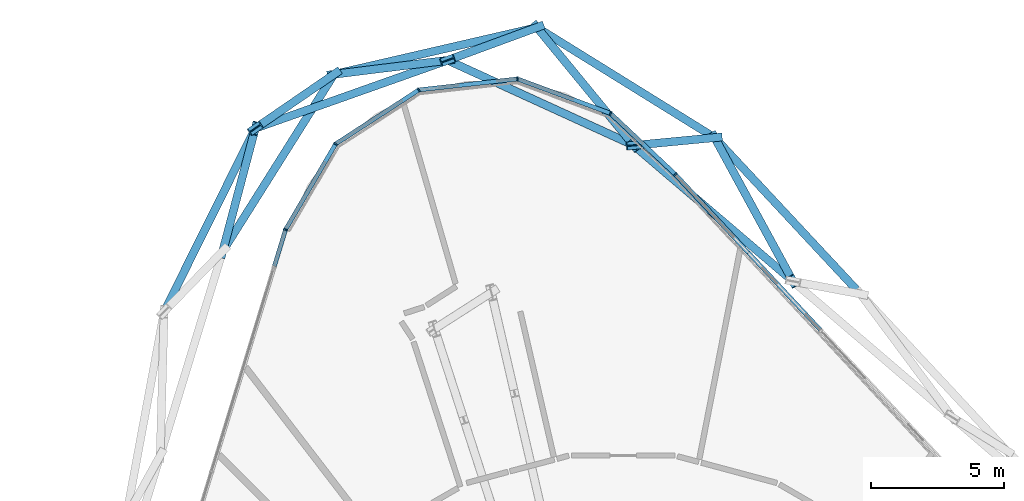
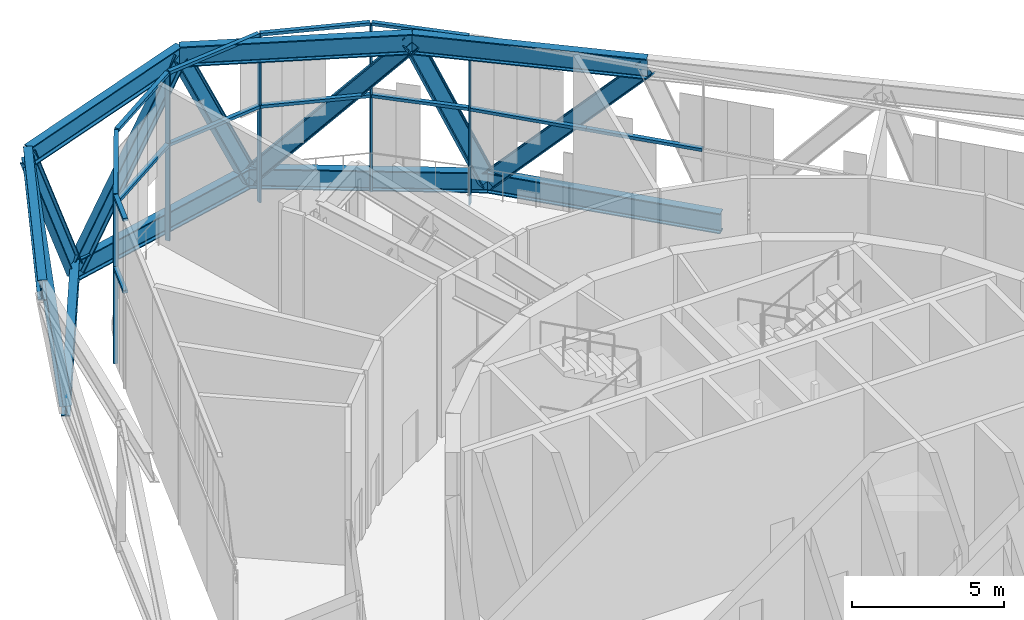
# One storey, part 8 of 25: 35 members, 2 elements without a shape of their own.
"""IFC4 building model written with IfcOpenShell, lengths in metres."""

from ifc_helpers import new_model, si_unit, direction, frame, origin, origin_2d, place, context, subcontext, project, spatial, rectangle, i_section, extrude, material, layer, layer_set, material_profile, profile_set, type_object, element, aggregate, save


model = new_model("IFC4")

# Units and contexts
model_context = context("Model", 3, precision=1e-05, world=origin(), true_north=direction((0.0, 1.0)))
body_context = subcontext(model_context, "Body", "Model", "MODEL_VIEW")
ifc_project = project(units=[si_unit("LENGTHUNIT", "METRE"), si_unit("AREAUNIT", "SQUARE_METRE"), si_unit("VOLUMEUNIT", "CUBIC_METRE"), si_unit("PLANEANGLEUNIT", "RADIAN"), si_unit("MASSUNIT", "GRAM", prefix="KILO")], contexts=[model_context])

# Site, building, storey
site_placement = place(None, origin())
site = spatial("IfcSite", under=ifc_project, at=site_placement, CompositionType="ELEMENT")
building_placement = place(site_placement, origin())
building = spatial("IfcBuilding", under=site, at=building_placement, Name="Spindle Arch Residences", CompositionType="ELEMENT")
storey_placement = place(building_placement, frame((0.0, 0.0, 144.89990234375)))
storey = spatial("IfcBuildingStorey", under=building, at=storey_placement, Name="L36", CompositionType="ELEMENT", Elevation=144.89990234375)

# Members
ifc_material_1 = material(Name="Steel S460ML, intumescent coating R 240", Category="steel")
ifc_material_profile_1 = material_profile(ifc_material_1, i_section(OverallWidth=0.302978515625, OverallDepth=0.81396484375, WebThickness=0.02099609375, FlangeThickness=0.0400390625, FilletRadius=0.030029296875, at=origin_2d()), Name="HEM 800")
ifc_profile_set_1 = profile_set([ifc_material_profile_1], Name="Steel S460ML, intumescent coating R 240")
member_type_1 = type_object("IfcMemberType", Name="Belt truss chord HEM 800", PredefinedType="CHORD", material=ifc_profile_set_1)
member_1_placement = place(storey_placement, frame((8.963134765625, 21.16650390625, -0.85693359375), z_axis=(-0.681985586962, 0.731365612519, 0.0), x_axis=(-0.731365612519, -0.681985586962, 0.0)))
element("IfcMember", 1, at=member_1_placement, inside=storey, type_object=member_type_1, Name="Belt truss bottom chord L36.9", PredefinedType="CHORD", context=body_context, shape_type="SweptSolid", body=[
    extrude(i_section(OverallWidth=0.302978515625, OverallDepth=0.81396484375, WebThickness=0.02099609375, FlangeThickness=0.0400390625, FilletRadius=0.030029296875, at=origin_2d()), origin(), (0.0, 0.0, 1.0), 8.029296875),
])
member_2_placement = place(storey_placement, frame((3.4873046875, 27.038818359375, -0.85693359375), z_axis=(-0.8498361212, 0.527047025515, 0.0), x_axis=(-0.527047025515, -0.8498361212, 0.0)))
element("IfcMember", 2, at=member_2_placement, inside=storey, type_object=member_type_1, Name="Belt truss bottom chord L36.10", PredefinedType="CHORD", context=body_context, shape_type="SweptSolid", body=[
    extrude(i_section(OverallWidth=0.302978515625, OverallDepth=0.81396484375, WebThickness=0.02099609375, FlangeThickness=0.0400390625, FilletRadius=0.030029296875, at=origin_2d()), origin(), (0.0, 0.0, 1.0), 7.8515625),
])
member_3_placement = place(storey_placement, frame((-3.185302734375, 31.177001953125, -0.85693359375), z_axis=(-0.974368036587, -0.224959839254, 0.0), x_axis=(0.224959839254, -0.974368036587, 0.0)))
element("IfcMember", 3, at=member_3_placement, inside=storey, type_object=member_type_1, Name="Belt truss bottom chord L36.11", PredefinedType="CHORD", context=body_context, shape_type="SweptSolid", body=[
    extrude(i_section(OverallWidth=0.302978515625, OverallDepth=0.81396484375, WebThickness=0.02099609375, FlangeThickness=0.0400390625, FilletRadius=0.030029296875, at=origin_2d()), origin(), (0.0, 0.0, 1.0), 7.8193359375),
])
member_4_placement = place(storey_placement, frame((-10.80419921875, 29.41796875, -0.85693359375), z_axis=(-0.532768735152, -0.846260878715, 0.0), x_axis=(0.846260878715, -0.532768735152, 0.0)))
element("IfcMember", 4, at=member_4_placement, inside=storey, type_object=member_type_1, Name="Belt truss bottom chord L36.12", PredefinedType="CHORD", context=body_context, shape_type="SweptSolid", body=[
    extrude(i_section(OverallWidth=0.302978515625, OverallDepth=0.81396484375, WebThickness=0.02099609375, FlangeThickness=0.0400390625, FilletRadius=0.030029296875, at=origin_2d()), origin(), (0.0, 0.0, 1.0), 7.8515625),
])
member_5_placement = place(storey_placement, frame((6.427001953125, 21.64501953125, 5.943115234375), z_axis=(-0.760417458811, 0.649434591268, 0.0), x_axis=(-0.649434591268, -0.760417458811, 0.0)))
element("IfcMember", 5, at=member_5_placement, inside=storey, type_object=member_type_1, Name="Belt truss top chord L36.9", PredefinedType="CHORD", context=body_context, shape_type="SweptSolid", body=[
    extrude(i_section(OverallWidth=0.302978515625, OverallDepth=0.81396484375, WebThickness=0.02099609375, FlangeThickness=0.0400390625, FilletRadius=0.030029296875, at=origin_2d()), origin(), (0.0, 0.0, 1.0), 7.85986328125),
])
member_6_placement = place(storey_placement, frame((0.4501953125, 26.74951171875, 5.943115234375), z_axis=(-0.909438438692, 0.415838581939, 0.0), x_axis=(-0.415838581939, -0.909438438692, 0.0)))
element("IfcMember", 6, at=member_6_placement, inside=storey, type_object=member_type_1, Name="Belt truss top chord L36.10", PredefinedType="CHORD", context=body_context, shape_type="SweptSolid", body=[
    extrude(i_section(OverallWidth=0.302978515625, OverallDepth=0.81396484375, WebThickness=0.02099609375, FlangeThickness=0.0400390625, FilletRadius=0.030029296875, at=origin_2d()), origin(), (0.0, 0.0, 1.0), 7.685791015625),
])
member_7_placement = place(storey_placement, frame((-6.53955078125, 29.945556640625, 5.943115234375), z_axis=(-0.942638085895, -0.333816475058, 0.0), x_axis=(0.333816475058, -0.942638085895, 0.0)))
element("IfcMember", 7, at=member_7_placement, inside=storey, type_object=member_type_1, Name="Belt truss top chord L36.11", PredefinedType="CHORD", context=body_context, shape_type="SweptSolid", body=[
    extrude(i_section(OverallWidth=0.302978515625, OverallDepth=0.81396484375, WebThickness=0.02099609375, FlangeThickness=0.0400390625, FilletRadius=0.030029296875, at=origin_2d()), origin(), (0.0, 0.0, 1.0), 7.663330078125),
])
member_8_placement = place(storey_placement, frame((-13.76318359375, 27.387451171875, 5.943115234375), z_axis=(-0.445077626453, -0.895491991271, 0.0), x_axis=(0.895491991271, -0.445077626453, 0.0)))
element("IfcMember", 8, at=member_8_placement, inside=storey, type_object=member_type_1, Name="Belt truss top chord L36.12", PredefinedType="CHORD", context=body_context, shape_type="SweptSolid", body=[
    extrude(i_section(OverallWidth=0.302978515625, OverallDepth=0.81396484375, WebThickness=0.02099609375, FlangeThickness=0.0400390625, FilletRadius=0.030029296875, at=origin_2d()), origin(), (0.0, 0.0, 1.0), 7.685546875),
])
ifc_material_2 = material(Name="Steel S460ML, intumescent coating R 240", Category="steel")
ifc_material_profile_2 = material_profile(ifc_material_2, i_section(OverallWidth=0.304931640625, OverallDepth=0.6201171875, WebThickness=0.02099609375, FlangeThickness=0.0400390625, FilletRadius=0.027099609375, at=origin_2d()), Name="HEM 600")
ifc_profile_set_2 = profile_set([ifc_material_profile_2], Name="Steel S460ML, intumescent coating R 240")
member_type_2 = type_object("IfcMemberType", Name="Belt truss diagonal HEM 600", PredefinedType="BRACE", material=ifc_profile_set_2)
member_9_placement = place(storey_placement, frame((3.4873046875, 27.038818359375, -0.85693359375), z_axis=(0.32079395823, -0.58859736892, 0.742054158174), x_axis=(0.878058041266, 0.478554151762, 0.0)))
element("IfcMember", 9, at=member_9_placement, inside=storey, type_object=member_type_2, Name="Belt truss diagonal L36.9.10", PredefinedType="BRACE", context=body_context, shape_type="SweptSolid", body=[
    extrude(i_section(OverallWidth=0.304931640625, OverallDepth=0.6201171875, WebThickness=0.02099609375, FlangeThickness=0.0400390625, FilletRadius=0.027099609375, at=origin_2d()), origin(), (0.0, 0.0, 1.0), 9.163818359375),
])
member_10_placement = place(storey_placement, frame((3.4873046875, 27.038818359375, -0.85693359375), z_axis=(-0.407497240301, -0.03881706027, 0.912381079911), x_axis=(0.094827974586, -0.995493674132, 0.0)))
element("IfcMember", 10, at=member_10_placement, inside=storey, type_object=member_type_2, Name="Belt truss diagonal L36.10.10", PredefinedType="BRACE", context=body_context, shape_type="SweptSolid", body=[
    extrude(i_section(OverallWidth=0.304931640625, OverallDepth=0.6201171875, WebThickness=0.02099609375, FlangeThickness=0.0400390625, FilletRadius=0.027099609375, at=origin_2d()), origin(), (0.0, 0.0, 1.0), 7.453125),
])
member_11_placement = place(storey_placement, frame((-3.185302734375, 31.177001953125, -0.85693359375), z_axis=(0.408869783764, -0.497941946717, 0.764774030433), x_axis=(0.772843443813, 0.634596731283, 0.0)))
element("IfcMember", 11, at=member_11_placement, inside=storey, type_object=member_type_2, Name="Belt truss diagonal L36.10.11", PredefinedType="BRACE", context=body_context, shape_type="SweptSolid", body=[
    extrude(i_section(OverallWidth=0.304931640625, OverallDepth=0.6201171875, WebThickness=0.02099609375, FlangeThickness=0.0400390625, FilletRadius=0.027099609375, at=origin_2d()), origin(), (0.0, 0.0, 1.0), 8.8916015625),
])
member_12_placement = place(storey_placement, frame((-3.185302734375, 31.177001953125, -0.85693359375), z_axis=(-0.436655921717, -0.160309518097, 0.885230175964), x_axis=(0.344638077792, -0.938735636554, 0.0)))
element("IfcMember", 12, at=member_12_placement, inside=storey, type_object=member_type_2, Name="Belt truss diagonal L36.11.11", PredefinedType="BRACE", context=body_context, shape_type="SweptSolid", body=[
    extrude(i_section(OverallWidth=0.304931640625, OverallDepth=0.6201171875, WebThickness=0.02099609375, FlangeThickness=0.0400390625, FilletRadius=0.027099609375, at=origin_2d()), origin(), (0.0, 0.0, 1.0), 7.681640625),
])
member_13_placement = place(storey_placement, frame((-10.80419921875, 29.41796875, -0.85693359375), z_axis=(0.530163903674, 0.065587599945, 0.845354660467), x_axis=(-0.12277597673, 0.992434410698, 0.0)))
element("IfcMember", 13, at=member_13_placement, inside=storey, type_object=member_type_2, Name="Belt truss diagonal L36.11.12", PredefinedType="BRACE", context=body_context, shape_type="SweptSolid", body=[
    extrude(i_section(OverallWidth=0.304931640625, OverallDepth=0.6201171875, WebThickness=0.02099609375, FlangeThickness=0.0400390625, FilletRadius=0.027099609375, at=origin_2d()), origin(), (0.0, 0.0, 1.0), 8.0439453125),
])
member_14_placement = place(storey_placement, frame((-10.80419921875, 29.41796875, -0.85693359375), z_axis=(-0.384838221026, -0.264084115864, 0.884397604805), x_axis=(0.56581257079, -0.82453388938, 0.0)))
element("IfcMember", 14, at=member_14_placement, inside=storey, type_object=member_type_2, Name="Belt truss diagonal L36.12.12", PredefinedType="BRACE", context=body_context, shape_type="SweptSolid", body=[
    extrude(i_section(OverallWidth=0.304931640625, OverallDepth=0.6201171875, WebThickness=0.02099609375, FlangeThickness=0.0400390625, FilletRadius=0.027099609375, at=origin_2d()), origin(), (0.0, 0.0, 1.0), 7.68896484375),
])
member_15_placement = place(storey_placement, frame((-14.9873046875, 22.7734375, -0.85693359375), z_axis=(0.147336694655, 0.55534826332, 0.818462097373), x_axis=(-0.966561816564, 0.256433723914, 0.0)))
element("IfcMember", 15, at=member_15_placement, inside=storey, type_object=member_type_2, Name="Belt truss diagonal L36.12.13", PredefinedType="BRACE", context=body_context, shape_type="SweptSolid", body=[
    extrude(i_section(OverallWidth=0.304931640625, OverallDepth=0.6201171875, WebThickness=0.02099609375, FlangeThickness=0.0400390625, FilletRadius=0.027099609375, at=origin_2d()), origin(), (0.0, 0.0, 1.0), 8.308349609375),
])

# Curtain wall, members
ifc_material_3 = material(Name="Aluminium bronze unitised frame with tinted glass", Category="aluminium")
ifc_layer = layer(ifc_material_3, 0.159912109375)
ifc_layer_set = layer_set([ifc_layer], Name="CW-E double-height winter garden wall")
curtain_wall_type = type_object("IfcCurtainWallType", Name="CW-E double-height winter garden wall", PredefinedType="NOTDEFINED", material=ifc_layer_set)
curtain_wall_1_placement = place(storey_placement, origin())
curtain_wall_1 = element("IfcCurtainWall", 16, at=curtain_wall_1_placement, inside=storey, type_object=curtain_wall_type, Name="CW-E L36 run 3", PredefinedType="NOTDEFINED")
ifc_material_4 = material(Name="Aluminium bronze anodised mullion", Category="aluminium")
ifc_material_profile_3 = material_profile(ifc_material_4, rectangle(XDim=0.159912109375, YDim=0.06005859375, at=origin_2d()), Name="MU 60x160")
ifc_profile_set_3 = profile_set([ifc_material_profile_3], Name="Aluminium bronze anodised mullion")
member_type_3 = type_object("IfcMemberType", Name="Bronze mullion 60x160", PredefinedType="MULLION", material=ifc_profile_set_3)
member_16_placement = place(storey_placement, frame((2.010009765625, 25.6611328125, -0.449951171875), z_axis=(0.0, 0.0, 1.0), x_axis=(-0.685289870681, -0.728270412102, 0.0)))
member_16 = element("IfcMember", 17, at=member_16_placement, type_object=member_type_3, Name="CW-E mullion 00", PredefinedType="MULLION", context=body_context, shape_type="SweptSolid", body=[
    extrude(rectangle(XDim=0.159912109375, YDim=0.06005859375, at=origin_2d()), origin(), (0.0, 0.0, 1.0), 6.679931640625),
])
member_17_placement = place(storey_placement, frame((-0.420654296875, 27.9482421875, -0.449951171875), z_axis=(0.0, 0.0, 1.0), x_axis=(-0.347481235896, -0.937686936403, 0.0)))
member_17 = element("IfcMember", 18, at=member_17_placement, type_object=member_type_3, Name="CW-E mullion 01", PredefinedType="MULLION", context=body_context, shape_type="SweptSolid", body=[
    extrude(rectangle(XDim=0.159912109375, YDim=0.06005859375, at=origin_2d()), origin(), (0.0, 0.0, 1.0), 6.679931640625),
])
member_18_placement = place(storey_placement, frame((-3.9150390625, 29.243408203125, -0.449951171875), z_axis=(0.0, 0.0, 1.0), x_axis=(0.110312556619, -0.993896946294, 0.0)))
member_18 = element("IfcMember", 19, at=member_18_placement, type_object=member_type_3, Name="CW-E mullion 02", PredefinedType="MULLION", context=body_context, shape_type="SweptSolid", body=[
    extrude(rectangle(XDim=0.159912109375, YDim=0.06005859375, at=origin_2d()), origin(), (0.0, 0.0, 1.0), 6.679931640625),
])
member_19_placement = place(storey_placement, frame((-7.619140625, 28.832275390625, -0.449951171875), z_axis=(0.0, 0.0, 1.0), x_axis=(0.544639035308, -0.838670567755, 0.0)))
member_19 = element("IfcMember", 20, at=member_19_placement, type_object=member_type_3, Name="CW-E mullion 03", PredefinedType="MULLION", context=body_context, shape_type="SweptSolid", body=[
    extrude(rectangle(XDim=0.159912109375, YDim=0.06005859375, at=origin_2d()), origin(), (0.0, 0.0, 1.0), 6.679931640625),
])
member_20_placement = place(storey_placement, frame((-10.74462890625, 26.802490234375, -0.449951171875), z_axis=(0.0, 0.0, 1.0), x_axis=(0.863101880723, -0.505029844161, 0.0)))
member_20 = element("IfcMember", 21, at=member_20_placement, type_object=member_type_3, Name="CW-E mullion 04", PredefinedType="MULLION", context=body_context, shape_type="SweptSolid", body=[
    extrude(rectangle(XDim=0.159912109375, YDim=0.06005859375, at=origin_2d()), origin(), (0.0, 0.0, 1.0), 6.679931640625),
])
member_21_placement = place(storey_placement, frame((-12.626708984375, 23.5859375, -0.449951171875), z_axis=(0.0, 0.0, 1.0), x_axis=(0.956304755963, -0.292371704723, 0.0)))
member_21 = element("IfcMember", 22, at=member_21_placement, type_object=member_type_3, Name="CW-E mullion 05", PredefinedType="MULLION", context=body_context, shape_type="SweptSolid", body=[
    extrude(rectangle(XDim=0.159912109375, YDim=0.06005859375, at=origin_2d()), origin(), (0.0, 0.0, 1.0), 6.679931640625),
])

curtain_wall_2_placement = place(storey_placement, origin())
curtain_wall_2 = element("IfcCurtainWall", 23, at=curtain_wall_2_placement, inside=storey, type_object=curtain_wall_type, Name="CW-E L36 run 2", PredefinedType="NOTDEFINED")
ifc_material_5 = material(Name="Aluminium bronze anodised transom", Category="aluminium")
ifc_material_profile_4 = material_profile(ifc_material_5, rectangle(XDim=0.159912109375, YDim=0.1201171875, at=origin_2d()), Name="TR 120x160")
ifc_profile_set_4 = profile_set([ifc_material_profile_4], Name="Aluminium bronze anodised transom")
member_type_4 = type_object("IfcMemberType", Name="Bronze transom 120x160", PredefinedType="USERDEFINED", material=ifc_profile_set_4)
member_22_placement = place(storey_placement, frame((7.46533203125, 19.81103515625, 3.400146484375), z_axis=(-0.681981970537, 0.731368984756, 0.0), x_axis=(-0.731368984756, -0.681981970537, 0.0)))
member_22 = element("IfcMember", 24, at=member_22_placement, type_object=member_type_4, Name="CW-E transom 08Am", ObjectType="TRANSOM", PredefinedType="USERDEFINED", context=body_context, shape_type="SweptSolid", body=[
    extrude(rectangle(XDim=0.159912109375, YDim=0.1201171875, at=origin_2d()), origin(), (0.0, 0.0, 1.0), 3.984375),
])
member_23_placement = place(storey_placement, frame((4.748046875, 22.72509765625, 3.400146484375), z_axis=(-0.682014744094, 0.731338422919, 0.0), x_axis=(-0.731338422919, -0.682014744094, 0.0)))
member_23 = element("IfcMember", 25, at=member_23_placement, type_object=member_type_4, Name="CW-E transom 08Bm", ObjectType="TRANSOM", PredefinedType="USERDEFINED", context=body_context, shape_type="SweptSolid", body=[
    extrude(rectangle(XDim=0.159912109375, YDim=0.1201171875, at=origin_2d()), origin(), (0.0, 0.0, 1.0), 3.984619140625),
])
aggregate(curtain_wall_2, [member_22, member_23])

# Member
member_24_placement = place(storey_placement, frame((1.98828125, 25.681640625, 6.2900390625), z_axis=(-0.72826996669, 0.685290344027, 0.0), x_axis=(-0.685290344027, -0.72826996669, 0.0)))
member_24 = element("IfcMember", 26, at=member_24_placement, type_object=member_type_4, Name="CW-E transom 00", ObjectType="TRANSOM", PredefinedType="USERDEFINED", context=body_context, shape_type="SweptSolid", body=[
    extrude(rectangle(XDim=0.159912109375, YDim=0.1201171875, at=origin_2d()), origin(), (0.0, 0.0, 1.0), 3.277587890625),
])

member_25_placement = place(storey_placement, frame((1.98828125, 25.681640625, 3.400146484375), z_axis=(-0.72826996669, 0.685290344027, 0.0), x_axis=(-0.685290344027, -0.72826996669, 0.0)))
member_25 = element("IfcMember", 27, at=member_25_placement, type_object=member_type_4, Name="CW-E transom 00m", ObjectType="TRANSOM", PredefinedType="USERDEFINED", context=body_context, shape_type="SweptSolid", body=[
    extrude(rectangle(XDim=0.159912109375, YDim=0.1201171875, at=origin_2d()), origin(), (0.0, 0.0, 1.0), 3.277587890625),
])

member_26_placement = place(storey_placement, frame((-0.44873046875, 27.958740234375, 6.2900390625), z_axis=(-0.937682080581, 0.347494339172, 0.0), x_axis=(-0.347494339172, -0.937682080581, 0.0)))
member_26 = element("IfcMember", 28, at=member_26_placement, type_object=member_type_4, Name="CW-E transom 01", ObjectType="TRANSOM", PredefinedType="USERDEFINED", context=body_context, shape_type="SweptSolid", body=[
    extrude(rectangle(XDim=0.159912109375, YDim=0.1201171875, at=origin_2d()), origin(), (0.0, 0.0, 1.0), 3.666748046875),
])

member_27_placement = place(storey_placement, frame((-0.44873046875, 27.958740234375, 3.400146484375), z_axis=(-0.937682080581, 0.347494339172, 0.0), x_axis=(-0.347494339172, -0.937682080581, 0.0)))
member_27 = element("IfcMember", 29, at=member_27_placement, type_object=member_type_4, Name="CW-E transom 01m", ObjectType="TRANSOM", PredefinedType="USERDEFINED", context=body_context, shape_type="SweptSolid", body=[
    extrude(rectangle(XDim=0.159912109375, YDim=0.1201171875, at=origin_2d()), origin(), (0.0, 0.0, 1.0), 3.666748046875),
])

member_28_placement = place(storey_placement, frame((-3.945068359375, 29.239990234375, 6.2900390625), z_axis=(-0.993895097359, -0.110329213929, 0.0), x_axis=(0.110329213929, -0.993895097359, 0.0)))
member_28 = element("IfcMember", 30, at=member_28_placement, type_object=member_type_4, Name="CW-E transom 02", ObjectType="TRANSOM", PredefinedType="USERDEFINED", context=body_context, shape_type="SweptSolid", body=[
    extrude(rectangle(XDim=0.159912109375, YDim=0.1201171875, at=origin_2d()), origin(), (0.0, 0.0, 1.0), 3.666748046875),
])

member_29_placement = place(storey_placement, frame((-3.945068359375, 29.239990234375, 3.400146484375), z_axis=(-0.993895097359, -0.110329213929, 0.0), x_axis=(0.110329213929, -0.993895097359, 0.0)))
member_29 = element("IfcMember", 31, at=member_29_placement, type_object=member_type_4, Name="CW-E transom 02m", ObjectType="TRANSOM", PredefinedType="USERDEFINED", context=body_context, shape_type="SweptSolid", body=[
    extrude(rectangle(XDim=0.159912109375, YDim=0.1201171875, at=origin_2d()), origin(), (0.0, 0.0, 1.0), 3.666748046875),
])

member_30_placement = place(storey_placement, frame((-7.644287109375, 28.81591796875, 6.2900390625), z_axis=(-0.838668683676, -0.544641936525, 0.0), x_axis=(0.544641936525, -0.838668683676, 0.0)))
member_30 = element("IfcMember", 32, at=member_30_placement, type_object=member_type_4, Name="CW-E transom 03", ObjectType="TRANSOM", PredefinedType="USERDEFINED", context=body_context, shape_type="SweptSolid", body=[
    extrude(rectangle(XDim=0.159912109375, YDim=0.1201171875, at=origin_2d()), origin(), (0.0, 0.0, 1.0), 3.666748046875),
])

member_31_placement = place(storey_placement, frame((-7.644287109375, 28.81591796875, 3.400146484375), z_axis=(-0.838668683676, -0.544641936525, 0.0), x_axis=(0.544641936525, -0.838668683676, 0.0)))
member_31 = element("IfcMember", 33, at=member_31_placement, type_object=member_type_4, Name="CW-E transom 03m", ObjectType="TRANSOM", PredefinedType="USERDEFINED", context=body_context, shape_type="SweptSolid", body=[
    extrude(rectangle(XDim=0.159912109375, YDim=0.1201171875, at=origin_2d()), origin(), (0.0, 0.0, 1.0), 3.666748046875),
])

member_32_placement = place(storey_placement, frame((-10.759765625, 26.776611328125, 6.2900390625), z_axis=(-0.505025585574, -0.86310437255, 0.0), x_axis=(0.86310437255, -0.505025585574, 0.0)))
member_32 = element("IfcMember", 34, at=member_32_placement, type_object=member_type_4, Name="CW-E transom 04", ObjectType="TRANSOM", PredefinedType="USERDEFINED", context=body_context, shape_type="SweptSolid", body=[
    extrude(rectangle(XDim=0.159912109375, YDim=0.1201171875, at=origin_2d()), origin(), (0.0, 0.0, 1.0), 3.666748046875),
])

member_33_placement = place(storey_placement, frame((-10.759765625, 26.776611328125, 3.400146484375), z_axis=(-0.505025585574, -0.86310437255, 0.0), x_axis=(0.86310437255, -0.505025585574, 0.0)))
member_33 = element("IfcMember", 35, at=member_33_placement, type_object=member_type_4, Name="CW-E transom 04m", ObjectType="TRANSOM", PredefinedType="USERDEFINED", context=body_context, shape_type="SweptSolid", body=[
    extrude(rectangle(XDim=0.159912109375, YDim=0.1201171875, at=origin_2d()), origin(), (0.0, 0.0, 1.0), 3.666748046875),
])

member_34_placement = place(storey_placement, frame((-12.635498046875, 23.55712890625, 6.2900390625), z_axis=(-0.292390464398, -0.956299020354, 0.0), x_axis=(0.956299020354, -0.292390464398, 0.0)))
member_34 = element("IfcMember", 36, at=member_34_placement, type_object=member_type_4, Name="CW-E transom 05", ObjectType="TRANSOM", PredefinedType="USERDEFINED", context=body_context, shape_type="SweptSolid", body=[
    extrude(rectangle(XDim=0.159912109375, YDim=0.1201171875, at=origin_2d()), origin(), (0.0, 0.0, 1.0), 1.406982421875),
])

member_35_placement = place(storey_placement, frame((-12.635498046875, 23.55712890625, 3.400146484375), z_axis=(-0.292390464398, -0.956299020354, 0.0), x_axis=(0.956299020354, -0.292390464398, 0.0)))
member_35 = element("IfcMember", 37, at=member_35_placement, type_object=member_type_4, Name="CW-E transom 05m", ObjectType="TRANSOM", PredefinedType="USERDEFINED", context=body_context, shape_type="SweptSolid", body=[
    extrude(rectangle(XDim=0.159912109375, YDim=0.1201171875, at=origin_2d()), origin(), (0.0, 0.0, 1.0), 1.406982421875),
])

aggregate(curtain_wall_1, [member_16, member_24, member_25, member_17, member_26, member_27, member_18, member_28, member_29, member_19, member_30, member_31, member_20, member_32, member_33, member_21, member_34, member_35])

save(model, "model.ifc")
